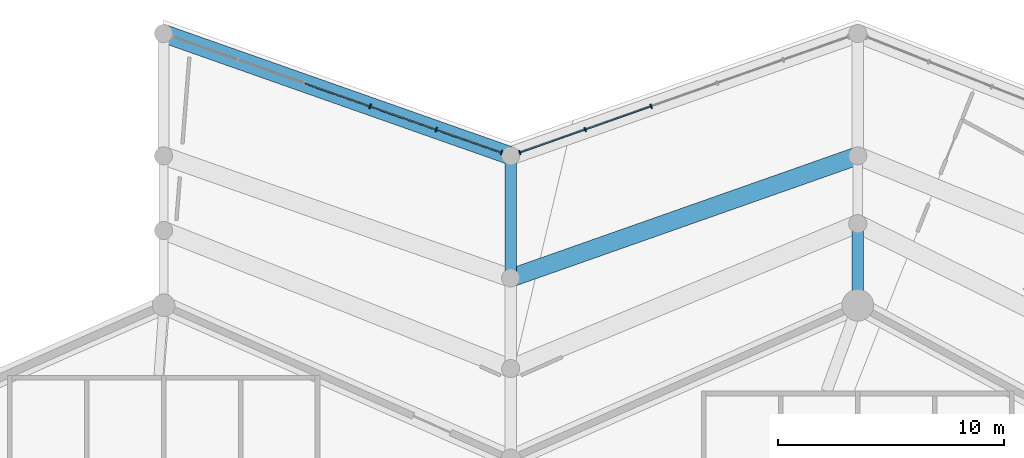
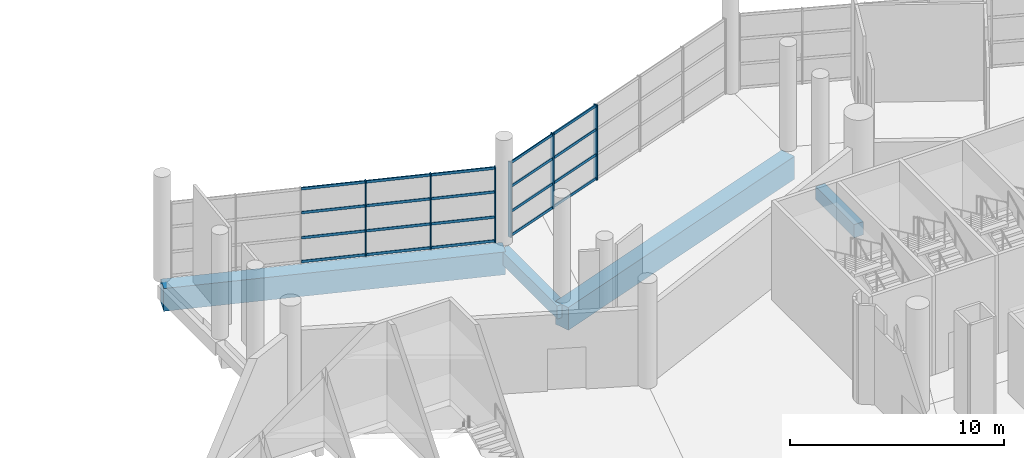
# One storey, part 91 of 249: 26 members, 4 beams, 2 elements without a shape of their own.
"""IFC4 building model written with IfcOpenShell, lengths in metres."""

import ifcopenshell
import ifcopenshell.guid

model = None  # the IFC model being written
_history = None  # IfcOwnerHistory: only IFC2X3 demands one
_inside = {}  # id of a spatial element -> (the spatial element, [elements in it])
_under = {}  # id of a project, library or spatial element -> (it, [spatial elements below it])
_declared = {}  # id of a project -> (the project, [libraries it declares])
_typed = {}  # id of a type object -> (the type object, [elements of that type])
_made_of = {}  # id of a material, layer set ... -> (it, [elements and type objects made of it])


def new_model(schema):
    """Start an empty IFC model of exactly this schema.

    Asked for "IFC4X3", IfcOpenShell would pick the latest addendum, in which some entities
    have other attributes; the version numbers below select the first issue.
    IFC2X3 requires an IfcOwnerHistory on every rooted entity: one is made here for all.
    """
    global model, _history
    if schema == "IFC4X3":
        model = ifcopenshell.file(schema_version=(4, 3, 0, 0))
    else:
        model = ifcopenshell.file(schema=schema)
    _inside.clear()
    _under.clear()
    _declared.clear()
    _typed.clear()
    _made_of.clear()
    _history = None
    if model.schema == "IFC2X3":
        org = make("IfcOrganization", Name="unknown")
        user = make(
            "IfcPersonAndOrganization",
            ThePerson=make("IfcPerson", FamilyName="unknown"),
            TheOrganization=org,
        )
        app = make(
            "IfcApplication",
            ApplicationDeveloper=org,
            Version="unknown",
            ApplicationFullName="unknown",
            ApplicationIdentifier="unknown",
        )
        _history = make(
            "IfcOwnerHistory",
            OwningUser=user,
            OwningApplication=app,
            ChangeAction="ADDED",
            CreationDate=0,
        )
    return model


def make(cls, **values):
    """One entity of the class cls with the attributes given. An attribute that is None is left unset."""
    return model.create_entity(
        cls, **{name: value for name, value in values.items() if value is not None}
    )


def rooted(cls, **values):
    """An entity with a GlobalId (a new one), such as an element, a storey or a relation."""
    return make(cls, GlobalId=ifcopenshell.guid.new(), OwnerHistory=_history, **values)


def si_unit(unit_type, name, prefix=None):
    """IfcSIUnit, for example si_unit("LENGTHUNIT", "METRE", prefix="MILLI")."""
    return make("IfcSIUnit", UnitType=unit_type, Prefix=prefix, Name=name)


def assignment(units):
    """IfcUnitAssignment: the units of a project."""
    return None if units is None else make("IfcUnitAssignment", Units=units)


def point(xyz):
    """IfcCartesianPoint."""
    return None if xyz is None else make("IfcCartesianPoint", Coordinates=xyz)


def direction(xyz):
    """IfcDirection."""
    return None if xyz is None else make("IfcDirection", DirectionRatios=xyz)


def frame(location, z_axis=None, x_axis=None):
    """IfcAxis2Placement3D, a coordinate frame: its origin and axes. An axis left out is left unset."""
    return make(
        "IfcAxis2Placement3D",
        Location=point(location),
        Axis=direction(z_axis),
        RefDirection=direction(x_axis),
    )


def frame_2d(location, x_axis=None):
    """IfcAxis2Placement2D, a coordinate frame in the plane: its origin and x axis."""
    return make(
        "IfcAxis2Placement2D", Location=point(location), RefDirection=direction(x_axis)
    )


def origin():
    """The frame at (0, 0, 0) with its axes left unset."""
    return frame((0.0, 0.0, 0.0))


def origin_2d():
    """The frame at (0, 0) in the plane with its x axis left unset."""
    return frame_2d((0.0, 0.0))


def place(relative_to, where):
    """IfcLocalPlacement: puts the frame where relative to a parent placement (None: the world)."""
    return make(
        "IfcLocalPlacement", PlacementRelTo=relative_to, RelativePlacement=where
    )


def context(
    kind, dimensions, precision=None, world=None, true_north=None, identifier=None
):
    """IfcGeometricRepresentationContext, for example the 3D "Model" context."""
    return make(
        "IfcGeometricRepresentationContext",
        ContextIdentifier=identifier,
        ContextType=kind,
        CoordinateSpaceDimension=dimensions,
        Precision=precision,
        WorldCoordinateSystem=world,
        TrueNorth=true_north,
    )


def subcontext(parent, identifier, kind, view, scale=None):
    """IfcGeometricRepresentationSubContext, for example "Body" below "Model"."""
    return make(
        "IfcGeometricRepresentationSubContext",
        ContextIdentifier=identifier,
        ContextType=kind,
        ParentContext=parent,
        TargetScale=scale,
        TargetView=view,
    )


def project(units=None, contexts=None):
    """IfcProject with its units and contexts."""
    return rooted(
        "IfcProject",
        Name="project",
        RepresentationContexts=contexts,
        UnitsInContext=assignment(units),
    )


def spatial(cls, under=None, at=None, **own):
    """A site, building, storey or space (cls), placed at a placement, below another one or the project."""
    s = rooted(cls, ObjectPlacement=at, **own)
    if under is not None:
        _under.setdefault(under.id(), (under, []))[1].append(s)
    return s


def profile(cls, at=None, kind="AREA", **sizes):
    """A parametric profile (cls). Its sizes go by their IFC names, for example OverallWidth=200.0."""
    return make(cls, ProfileType=kind, Position=at, **sizes)


def rectangle(**sizes):
    """IfcRectangleProfileDef."""
    return profile("IfcRectangleProfileDef", **sizes)


def extrude(swept, where, along, depth):
    """IfcExtrudedAreaSolid: the profile swept, set in the frame where, extruded along a direction by depth."""
    return make(
        "IfcExtrudedAreaSolid",
        SweptArea=swept,
        Position=where,
        ExtrudedDirection=direction(along),
        Depth=depth,
    )


def shape(context_of_items, identifier, shape_type, items):
    """IfcShapeRepresentation: the items that make up one representation, for example the "Body"."""
    return make(
        "IfcShapeRepresentation",
        ContextOfItems=context_of_items,
        RepresentationIdentifier=identifier,
        RepresentationType=shape_type,
        Items=items,
    )


def material(Name=None, Category=None):
    """IfcMaterial."""
    return make("IfcMaterial", Name=Name, Category=Category)


def layer(
    of_material, thickness, ventilated=None, Name=None, Category=None, Priority=None
):
    """IfcMaterialLayer: one layer of a wall or slab, of a material (None: an air gap)."""
    return make(
        "IfcMaterialLayer",
        Material=of_material,
        LayerThickness=thickness,
        IsVentilated=ventilated,
        Name=Name,
        Category=Category,
        Priority=Priority,
    )


def layer_set(layers, Name=None):
    """IfcMaterialLayerSet."""
    return make("IfcMaterialLayerSet", MaterialLayers=layers, LayerSetName=Name)


def material_profile(
    of_material, cross_section, Name=None, Category=None, Priority=None
):
    """IfcMaterialProfile: a cross section and its material."""
    return make(
        "IfcMaterialProfile",
        Name=Name,
        Material=of_material,
        Profile=cross_section,
        Priority=Priority,
        Category=Category,
    )


def profile_set(profiles, Name=None, composite=None):
    """IfcMaterialProfileSet."""
    return make(
        "IfcMaterialProfileSet",
        Name=Name,
        MaterialProfiles=profiles,
        CompositeProfile=composite,
    )


def made_of(thing, what):
    """Note that an element or type object is made of a material, layer set ...; save() writes the relation."""
    if what is not None:
        _made_of.setdefault(what.id(), (what, []))[1].append(thing)
    return thing


def type_object(cls, material=None, **own):
    """A type object (cls), such as IfcWallType, which elements share."""
    return made_of(rooted(cls, **own), material)


def element(
    cls,
    number,
    at=None,
    inside=None,
    cuts=None,
    type_object=None,
    material=None,
    context=None,
    identifier="Body",
    shape_type=None,
    held_by="IfcProductDefinitionShape",
    body=None,
    shapes=None,
    **own,
):
    """One element of the class cls, such as IfcWall. Its Tag is "e" and its number.

    at: its placement. inside: the storey or other place that contains it. cuts: it is an
    opening in that element (IfcRelVoidsElement). A single representation is given by context,
    identifier, shape_type and body (its items); several are given by shapes. held_by: the class
    of the entity that holds the representations. save() writes the other relations.
    """
    e = rooted(cls, Tag="e%d" % number, ObjectPlacement=at, **own)
    if body is not None:
        shapes = [shape(context, identifier, shape_type, body)]
    if shapes is not None:
        e.Representation = make(held_by, Representations=shapes)
    if inside is not None:
        _inside.setdefault(inside.id(), (inside, []))[1].append(e)
    if cuts is not None:
        rooted(
            "IfcRelVoidsElement", RelatingBuildingElement=cuts, RelatedOpeningElement=e
        )
    if type_object is not None:
        _typed.setdefault(type_object.id(), (type_object, []))[1].append(e)
    return made_of(e, material)


def aggregate(whole, parts):
    """IfcRelAggregates: a whole, such as a stair, and the parts it consists of."""
    return rooted("IfcRelAggregates", RelatingObject=whole, RelatedObjects=parts)


def save(model, path):
    """Write the relations noted so far, then the file.

    IfcRelAggregates (storeys below a building ...), IfcRelContainedInSpatialStructure (elements
    in a storey), IfcRelDefinesByType, IfcRelAssociatesMaterial and IfcRelDeclares: one each for
    every whole, place, type object, material and project.
    """
    for whole, parts in _under.values():
        aggregate(whole, parts)
    for where, things in _inside.values():
        rooted(
            "IfcRelContainedInSpatialStructure",
            RelatedElements=things,
            RelatingStructure=where,
        )
    for kind, things in _typed.values():
        rooted("IfcRelDefinesByType", RelatedObjects=things, RelatingType=kind)
    for what, things in _made_of.values():
        rooted("IfcRelAssociatesMaterial", RelatedObjects=things, RelatingMaterial=what)
    for by, libraries in _declared.values():
        rooted("IfcRelDeclares", RelatingContext=by, RelatedDefinitions=libraries)
    model.write(path)


model = new_model("IFC4")

# Units and contexts
model_context = context("Model", 3, precision=1e-05, world=origin(), true_north=direction((0.0, 1.0)))
body_context = subcontext(model_context, "Body", "Model", "MODEL_VIEW")
ifc_project = project(units=[si_unit("LENGTHUNIT", "METRE"), si_unit("AREAUNIT", "SQUARE_METRE"), si_unit("VOLUMEUNIT", "CUBIC_METRE"), si_unit("PLANEANGLEUNIT", "RADIAN"), si_unit("MASSUNIT", "GRAM", prefix="KILO")], contexts=[model_context])

# Site, building, storey
site_placement = place(None, origin())
site = spatial("IfcSite", under=ifc_project, at=site_placement, CompositionType="ELEMENT")
building_placement = place(site_placement, origin())
building = spatial("IfcBuilding", under=site, at=building_placement, Name="Meseta Stadium", CompositionType="ELEMENT")
storey_placement = place(building_placement, frame((0.0, 0.0, 12.0)))
storey = spatial("IfcBuildingStorey", under=building, at=storey_placement, Name="L02", CompositionType="ELEMENT", Elevation=12.0)

# Beams
ifc_material_1 = material(Name="Concrete C40/50", Category="concrete")
ifc_material_profile_1 = material_profile(ifc_material_1, rectangle(XDim=0.5, YDim=0.75, at=origin_2d()), Name="RC 500x750")
ifc_profile_set_1 = profile_set([ifc_material_profile_1], Name="Concrete C40/50")
beam_type_1 = type_object("IfcBeamType", Name="RC beam 500x750", PredefinedType="BEAM", material=ifc_profile_set_1)
beam_1_placement = place(storey_placement, frame((38.333251953125, 105.39990234375, -0.72509765625), z_axis=(0.0, 1.0, 0.0), x_axis=(-1.0, 0.0, 0.0)))
element("IfcBeam", 1, at=beam_1_placement, inside=storey, type_object=beam_type_1, Name="L02 radial beam frame 16 line R to M", PredefinedType="BEAM", context=body_context, shape_type="SweptSolid", body=[
    extrude(rectangle(XDim=0.5, YDim=0.75, at=origin_2d()), origin(), (0.0, 0.0, 1.0), 3.60009765625),
])
beam_2_placement = place(storey_placement, frame((23.0, 106.60009765625, -0.72509765625), z_axis=(0.0, 1.0, 0.0), x_axis=(-1.0, 0.0, 0.0)))
element("IfcBeam", 2, at=beam_2_placement, inside=storey, type_object=beam_type_1, Name="L02 radial beam frame 17 line Q to O", PredefinedType="BEAM", context=body_context, shape_type="SweptSolid", body=[
    extrude(rectangle(XDim=0.5, YDim=0.75, at=origin_2d()), origin(), (0.0, 0.0, 1.0), 5.39990234375),
])
ifc_material_2 = material(Name="Concrete C40/50", Category="concrete")
ifc_material_profile_2 = material_profile(ifc_material_2, rectangle(XDim=0.800048828125, YDim=1.300048828125, at=origin_2d()), Name="RC 800x1300")
ifc_profile_set_2 = profile_set([ifc_material_profile_2], Name="Concrete C40/50")
beam_type_2 = type_object("IfcBeamType", Name="RC beam 800x1300", PredefinedType="BEAM", material=ifc_profile_set_2)
for number, where, z_axis, x_axis, name in (
    (3, (38.333251953125, 112.0, -1.0), (-0.943218573019, -0.332172731439, 0.0), (0.332172731439, -0.943218573019, 0.0), "L02 ring beam frame 16 line Q"),
    (4, (23.0, 112.0, -1.0), (-0.943218573019, 0.332172731439, 0.0), (-0.332172731439, -0.943218573019, 0.0), "L02 ring beam frame 17 line O"),
):
    element("IfcBeam", number, at=place(storey_placement, frame(where, z_axis=z_axis, x_axis=x_axis)), inside=storey, type_object=beam_type_2, Name=name, PredefinedType="BEAM", context=body_context, shape_type="SweptSolid", body=[
        extrude(rectangle(XDim=0.800048828125, YDim=1.300048828125, at=origin_2d()), origin(), (0.0, 0.0, 1.0), 16.25634765625),
    ])

# Curtain wall, members
ifc_material_3 = material(Name="Aluminium", Category="aluminium")
ifc_layer = layer(ifc_material_3, 0.199951171875)
ifc_layer_set = layer_set([ifc_layer], Name="Ring shopfront curtain wall")
curtain_wall_type = type_object("IfcCurtainWallType", Name="Ring shopfront curtain wall", PredefinedType="NOTDEFINED", material=ifc_layer_set)
curtain_wall_1_placement = place(storey_placement, origin())
curtain_wall_1 = element("IfcCurtainWall", 5, at=curtain_wall_1_placement, inside=storey, type_object=curtain_wall_type, Name="Ring glazing L02 F16", PredefinedType="NOTDEFINED")
ifc_material_4 = material(Name="Aluminium", Category="aluminium")
ifc_material_profile_3 = material_profile(ifc_material_4, rectangle(XDim=0.199951171875, YDim=0.06005859375, at=origin_2d()), Name="CW 200x60")
ifc_profile_set_3 = profile_set([ifc_material_profile_3], Name="Aluminium")
member_type_1 = type_object("IfcMemberType", Name="Ring CW mullion 60x200", PredefinedType="MULLION", material=ifc_profile_set_3)
member_1_placement = place(storey_placement, frame((29.208740234375, 114.1865234375, 0.0), z_axis=(0.0, 0.0, 1.0), x_axis=(0.332174330154, -0.943218009999, 0.0)))
member_1 = element("IfcMember", 6, at=member_1_placement, type_object=member_type_1, Name="CWR1 mullion 4", PredefinedType="MULLION", context=body_context, shape_type="SweptSolid", body=[
    extrude(rectangle(XDim=0.199951171875, YDim=0.06005859375, at=origin_2d()), origin(), (0.0, 0.0, 1.0), 4.300048828125),
])
member_2_placement = place(storey_placement, frame((26.29296875, 113.15966796875, 0.0), z_axis=(0.0, 0.0, 1.0), x_axis=(0.332174330154, -0.943218009999, 0.0)))
member_2 = element("IfcMember", 7, at=member_2_placement, type_object=member_type_1, Name="CWR1 mullion 5", PredefinedType="MULLION", context=body_context, shape_type="SweptSolid", body=[
    extrude(rectangle(XDim=0.199951171875, YDim=0.06005859375, at=origin_2d()), origin(), (0.0, 0.0, 1.0), 4.300048828125),
])
member_3_placement = place(storey_placement, frame((23.405517578125, 112.142822265625, 0.0), z_axis=(0.0, 0.0, 1.0), x_axis=(0.332174330154, -0.943218009999, 0.0)))
member_3 = element("IfcMember", 8, at=member_3_placement, type_object=member_type_1, Name="CWR1 mullion 6", PredefinedType="MULLION", context=body_context, shape_type="SweptSolid", body=[
    extrude(rectangle(XDim=0.199951171875, YDim=0.06005859375, at=origin_2d()), origin(), (0.0, 0.0, 1.0), 4.300048828125),
])

curtain_wall_2_placement = place(storey_placement, origin())
curtain_wall_2 = element("IfcCurtainWall", 9, at=curtain_wall_2_placement, inside=storey, type_object=curtain_wall_type, Name="Ring glazing L02 F17", PredefinedType="NOTDEFINED")
member_4_placement = place(storey_placement, frame((22.594482421875, 112.142822265625, 0.0), z_axis=(0.0, 0.0, 1.0), x_axis=(-0.332174330154, -0.943218009999, 0.0)))
member_4 = element("IfcMember", 10, at=member_4_placement, type_object=member_type_1, Name="CWR1 mullion 1", PredefinedType="MULLION", context=body_context, shape_type="SweptSolid", body=[
    extrude(rectangle(XDim=0.199951171875, YDim=0.06005859375, at=origin_2d()), origin(), (0.0, 0.0, 1.0), 4.300048828125),
])
member_5_placement = place(storey_placement, frame((19.70703125, 113.15966796875, 0.0), z_axis=(0.0, 0.0, 1.0), x_axis=(-0.332174330154, -0.943218009999, 0.0)))
member_5 = element("IfcMember", 11, at=member_5_placement, type_object=member_type_1, Name="CWR1 mullion 2", PredefinedType="MULLION", context=body_context, shape_type="SweptSolid", body=[
    extrude(rectangle(XDim=0.199951171875, YDim=0.06005859375, at=origin_2d()), origin(), (0.0, 0.0, 1.0), 4.300048828125),
])
member_6_placement = place(storey_placement, frame((16.791259765625, 114.1865234375, 0.0), z_axis=(0.0, 0.0, 1.0), x_axis=(-0.332174330154, -0.943218009999, 0.0)))
member_6 = element("IfcMember", 12, at=member_6_placement, type_object=member_type_1, Name="CWR1 mullion 3", PredefinedType="MULLION", context=body_context, shape_type="SweptSolid", body=[
    extrude(rectangle(XDim=0.199951171875, YDim=0.06005859375, at=origin_2d()), origin(), (0.0, 0.0, 1.0), 4.300048828125),
])

# Member
ifc_material_5 = material(Name="Aluminium", Category="aluminium")
ifc_material_profile_4 = material_profile(ifc_material_5, rectangle(XDim=0.06005859375, YDim=0.14990234375, at=origin_2d()), Name="CW 60x150")
ifc_profile_set_4 = profile_set([ifc_material_profile_4], Name="Aluminium")
member_type_2 = type_object("IfcMemberType", Name="Ring CW transom 60x150", PredefinedType="USERDEFINED", material=ifc_profile_set_4)
member_7_placement = place(storey_placement, frame((29.180419921875, 114.176513671875, 0.074951171875), z_axis=(-0.943225032885, -0.332154387808, 0.0), x_axis=(0.332154387808, -0.943225032885, 0.0)))
member_7 = element("IfcMember", 13, at=member_7_placement, type_object=member_type_2, Name="CWR1 transom 4.1", ObjectType="TRANSOM", PredefinedType="USERDEFINED", context=body_context, shape_type="SweptSolid", body=[
    extrude(rectangle(XDim=0.06005859375, YDim=0.14990234375, at=origin_2d()), origin(), (0.0, 0.0, 1.0), 3.03125),
])

member_8_placement = place(storey_placement, frame((29.180419921875, 114.176513671875, 1.433349609375), z_axis=(-0.943225032885, -0.332154387808, 0.0), x_axis=(0.332154387808, -0.943225032885, 0.0)))
member_8 = element("IfcMember", 14, at=member_8_placement, type_object=member_type_2, Name="CWR1 transom 4.2", ObjectType="TRANSOM", PredefinedType="USERDEFINED", context=body_context, shape_type="SweptSolid", body=[
    extrude(rectangle(XDim=0.06005859375, YDim=0.14990234375, at=origin_2d()), origin(), (0.0, 0.0, 1.0), 3.03125),
])

member_9_placement = place(storey_placement, frame((29.180419921875, 114.176513671875, 2.86669921875), z_axis=(-0.943225032885, -0.332154387808, 0.0), x_axis=(0.332154387808, -0.943225032885, 0.0)))
member_9 = element("IfcMember", 15, at=member_9_placement, type_object=member_type_2, Name="CWR1 transom 4.3", ObjectType="TRANSOM", PredefinedType="USERDEFINED", context=body_context, shape_type="SweptSolid", body=[
    extrude(rectangle(XDim=0.06005859375, YDim=0.14990234375, at=origin_2d()), origin(), (0.0, 0.0, 1.0), 3.03125),
])

member_10_placement = place(storey_placement, frame((29.180419921875, 114.176513671875, 4.22509765625), z_axis=(-0.943225032885, -0.332154387808, 0.0), x_axis=(0.332154387808, -0.943225032885, 0.0)))
member_10 = element("IfcMember", 16, at=member_10_placement, type_object=member_type_2, Name="CWR1 transom 4.4", ObjectType="TRANSOM", PredefinedType="USERDEFINED", context=body_context, shape_type="SweptSolid", body=[
    extrude(rectangle(XDim=0.06005859375, YDim=0.14990234375, at=origin_2d()), origin(), (0.0, 0.0, 1.0), 3.03125),
])

member_11_placement = place(storey_placement, frame((26.2646484375, 113.149658203125, 0.074951171875), z_axis=(-0.943228878245, -0.332143467863, 0.0), x_axis=(0.332143467863, -0.943228878245, 0.0)))
member_11 = element("IfcMember", 17, at=member_11_placement, type_object=member_type_2, Name="CWR1 transom 5.1", ObjectType="TRANSOM", PredefinedType="USERDEFINED", context=body_context, shape_type="SweptSolid", body=[
    extrude(rectangle(XDim=0.06005859375, YDim=0.14990234375, at=origin_2d()), origin(), (0.0, 0.0, 1.0), 3.001220703125),
])

member_12_placement = place(storey_placement, frame((26.2646484375, 113.149658203125, 1.433349609375), z_axis=(-0.943228878245, -0.332143467863, 0.0), x_axis=(0.332143467863, -0.943228878245, 0.0)))
member_12 = element("IfcMember", 18, at=member_12_placement, type_object=member_type_2, Name="CWR1 transom 5.2", ObjectType="TRANSOM", PredefinedType="USERDEFINED", context=body_context, shape_type="SweptSolid", body=[
    extrude(rectangle(XDim=0.06005859375, YDim=0.14990234375, at=origin_2d()), origin(), (0.0, 0.0, 1.0), 3.001220703125),
])

member_13_placement = place(storey_placement, frame((26.2646484375, 113.149658203125, 2.86669921875), z_axis=(-0.943228878245, -0.332143467863, 0.0), x_axis=(0.332143467863, -0.943228878245, 0.0)))
member_13 = element("IfcMember", 19, at=member_13_placement, type_object=member_type_2, Name="CWR1 transom 5.3", ObjectType="TRANSOM", PredefinedType="USERDEFINED", context=body_context, shape_type="SweptSolid", body=[
    extrude(rectangle(XDim=0.06005859375, YDim=0.14990234375, at=origin_2d()), origin(), (0.0, 0.0, 1.0), 3.001220703125),
])

member_14_placement = place(storey_placement, frame((26.2646484375, 113.149658203125, 4.22509765625), z_axis=(-0.943228878245, -0.332143467863, 0.0), x_axis=(0.332143467863, -0.943228878245, 0.0)))
member_14 = element("IfcMember", 20, at=member_14_placement, type_object=member_type_2, Name="CWR1 transom 5.4", ObjectType="TRANSOM", PredefinedType="USERDEFINED", context=body_context, shape_type="SweptSolid", body=[
    extrude(rectangle(XDim=0.06005859375, YDim=0.14990234375, at=origin_2d()), origin(), (0.0, 0.0, 1.0), 3.001220703125),
])

aggregate(curtain_wall_1, [member_1, member_2, member_3, member_7, member_8, member_9, member_10, member_11, member_12, member_13, member_14])

member_15_placement = place(storey_placement, frame((22.566162109375, 112.15283203125, 0.074951171875), z_axis=(-0.943228878245, 0.332143467863, 0.0), x_axis=(-0.332143467863, -0.943228878245, 0.0)))
member_15 = element("IfcMember", 21, at=member_15_placement, type_object=member_type_2, Name="CWR1 transom 1.1", ObjectType="TRANSOM", PredefinedType="USERDEFINED", context=body_context, shape_type="SweptSolid", body=[
    extrude(rectangle(XDim=0.06005859375, YDim=0.14990234375, at=origin_2d()), origin(), (0.0, 0.0, 1.0), 3.001220703125),
])

member_16_placement = place(storey_placement, frame((22.566162109375, 112.15283203125, 1.433349609375), z_axis=(-0.943228878245, 0.332143467863, 0.0), x_axis=(-0.332143467863, -0.943228878245, 0.0)))
member_16 = element("IfcMember", 22, at=member_16_placement, type_object=member_type_2, Name="CWR1 transom 1.2", ObjectType="TRANSOM", PredefinedType="USERDEFINED", context=body_context, shape_type="SweptSolid", body=[
    extrude(rectangle(XDim=0.06005859375, YDim=0.14990234375, at=origin_2d()), origin(), (0.0, 0.0, 1.0), 3.001220703125),
])

member_17_placement = place(storey_placement, frame((22.566162109375, 112.15283203125, 2.86669921875), z_axis=(-0.943228878245, 0.332143467863, 0.0), x_axis=(-0.332143467863, -0.943228878245, 0.0)))
member_17 = element("IfcMember", 23, at=member_17_placement, type_object=member_type_2, Name="CWR1 transom 1.3", ObjectType="TRANSOM", PredefinedType="USERDEFINED", context=body_context, shape_type="SweptSolid", body=[
    extrude(rectangle(XDim=0.06005859375, YDim=0.14990234375, at=origin_2d()), origin(), (0.0, 0.0, 1.0), 3.001220703125),
])

member_18_placement = place(storey_placement, frame((22.566162109375, 112.15283203125, 4.22509765625), z_axis=(-0.943228878245, 0.332143467863, 0.0), x_axis=(-0.332143467863, -0.943228878245, 0.0)))
member_18 = element("IfcMember", 24, at=member_18_placement, type_object=member_type_2, Name="CWR1 transom 1.4", ObjectType="TRANSOM", PredefinedType="USERDEFINED", context=body_context, shape_type="SweptSolid", body=[
    extrude(rectangle(XDim=0.06005859375, YDim=0.14990234375, at=origin_2d()), origin(), (0.0, 0.0, 1.0), 3.001220703125),
])

member_19_placement = place(storey_placement, frame((19.6787109375, 113.169677734375, 0.074951171875), z_axis=(-0.943225032885, 0.332154387808, 0.0), x_axis=(-0.332154387808, -0.943225032885, 0.0)))
member_19 = element("IfcMember", 25, at=member_19_placement, type_object=member_type_2, Name="CWR1 transom 2.1", ObjectType="TRANSOM", PredefinedType="USERDEFINED", context=body_context, shape_type="SweptSolid", body=[
    extrude(rectangle(XDim=0.06005859375, YDim=0.14990234375, at=origin_2d()), origin(), (0.0, 0.0, 1.0), 3.03125),
])

member_20_placement = place(storey_placement, frame((19.6787109375, 113.169677734375, 1.433349609375), z_axis=(-0.943225032885, 0.332154387808, 0.0), x_axis=(-0.332154387808, -0.943225032885, 0.0)))
member_20 = element("IfcMember", 26, at=member_20_placement, type_object=member_type_2, Name="CWR1 transom 2.2", ObjectType="TRANSOM", PredefinedType="USERDEFINED", context=body_context, shape_type="SweptSolid", body=[
    extrude(rectangle(XDim=0.06005859375, YDim=0.14990234375, at=origin_2d()), origin(), (0.0, 0.0, 1.0), 3.03125),
])

member_21_placement = place(storey_placement, frame((19.6787109375, 113.169677734375, 2.86669921875), z_axis=(-0.943225032885, 0.332154387808, 0.0), x_axis=(-0.332154387808, -0.943225032885, 0.0)))
member_21 = element("IfcMember", 27, at=member_21_placement, type_object=member_type_2, Name="CWR1 transom 2.3", ObjectType="TRANSOM", PredefinedType="USERDEFINED", context=body_context, shape_type="SweptSolid", body=[
    extrude(rectangle(XDim=0.06005859375, YDim=0.14990234375, at=origin_2d()), origin(), (0.0, 0.0, 1.0), 3.03125),
])

member_22_placement = place(storey_placement, frame((19.6787109375, 113.169677734375, 4.22509765625), z_axis=(-0.943225032885, 0.332154387808, 0.0), x_axis=(-0.332154387808, -0.943225032885, 0.0)))
member_22 = element("IfcMember", 28, at=member_22_placement, type_object=member_type_2, Name="CWR1 transom 2.4", ObjectType="TRANSOM", PredefinedType="USERDEFINED", context=body_context, shape_type="SweptSolid", body=[
    extrude(rectangle(XDim=0.06005859375, YDim=0.14990234375, at=origin_2d()), origin(), (0.0, 0.0, 1.0), 3.03125),
])

member_23_placement = place(storey_placement, frame((16.762939453125, 114.196533203125, 0.074951171875), z_axis=(-0.943225032885, 0.332154387808, 0.0), x_axis=(-0.332154387808, -0.943225032885, 0.0)))
member_23 = element("IfcMember", 29, at=member_23_placement, type_object=member_type_2, Name="CWR1 transom 3.1", ObjectType="TRANSOM", PredefinedType="USERDEFINED", context=body_context, shape_type="SweptSolid", body=[
    extrude(rectangle(XDim=0.06005859375, YDim=0.14990234375, at=origin_2d()), origin(), (0.0, 0.0, 1.0), 3.03125),
])

member_24_placement = place(storey_placement, frame((16.762939453125, 114.196533203125, 1.433349609375), z_axis=(-0.943225032885, 0.332154387808, 0.0), x_axis=(-0.332154387808, -0.943225032885, 0.0)))
member_24 = element("IfcMember", 30, at=member_24_placement, type_object=member_type_2, Name="CWR1 transom 3.2", ObjectType="TRANSOM", PredefinedType="USERDEFINED", context=body_context, shape_type="SweptSolid", body=[
    extrude(rectangle(XDim=0.06005859375, YDim=0.14990234375, at=origin_2d()), origin(), (0.0, 0.0, 1.0), 3.03125),
])

member_25_placement = place(storey_placement, frame((16.762939453125, 114.196533203125, 2.86669921875), z_axis=(-0.943225032885, 0.332154387808, 0.0), x_axis=(-0.332154387808, -0.943225032885, 0.0)))
member_25 = element("IfcMember", 31, at=member_25_placement, type_object=member_type_2, Name="CWR1 transom 3.3", ObjectType="TRANSOM", PredefinedType="USERDEFINED", context=body_context, shape_type="SweptSolid", body=[
    extrude(rectangle(XDim=0.06005859375, YDim=0.14990234375, at=origin_2d()), origin(), (0.0, 0.0, 1.0), 3.03125),
])

member_26_placement = place(storey_placement, frame((16.762939453125, 114.196533203125, 4.22509765625), z_axis=(-0.943225032885, 0.332154387808, 0.0), x_axis=(-0.332154387808, -0.943225032885, 0.0)))
member_26 = element("IfcMember", 32, at=member_26_placement, type_object=member_type_2, Name="CWR1 transom 3.4", ObjectType="TRANSOM", PredefinedType="USERDEFINED", context=body_context, shape_type="SweptSolid", body=[
    extrude(rectangle(XDim=0.06005859375, YDim=0.14990234375, at=origin_2d()), origin(), (0.0, 0.0, 1.0), 3.03125),
])

aggregate(curtain_wall_2, [member_4, member_5, member_6, member_15, member_16, member_17, member_18, member_19, member_20, member_21, member_22, member_23, member_24, member_25, member_26])

save(model, "model.ifc")
